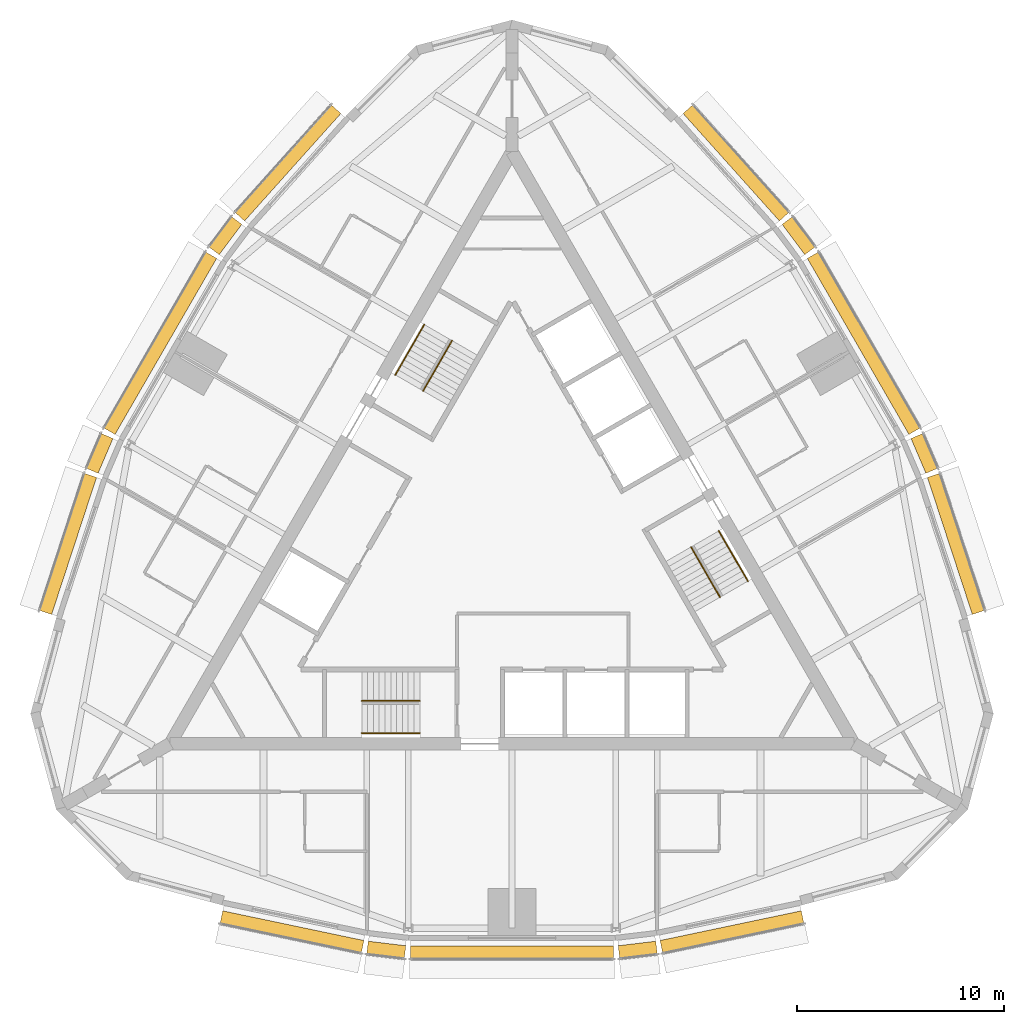
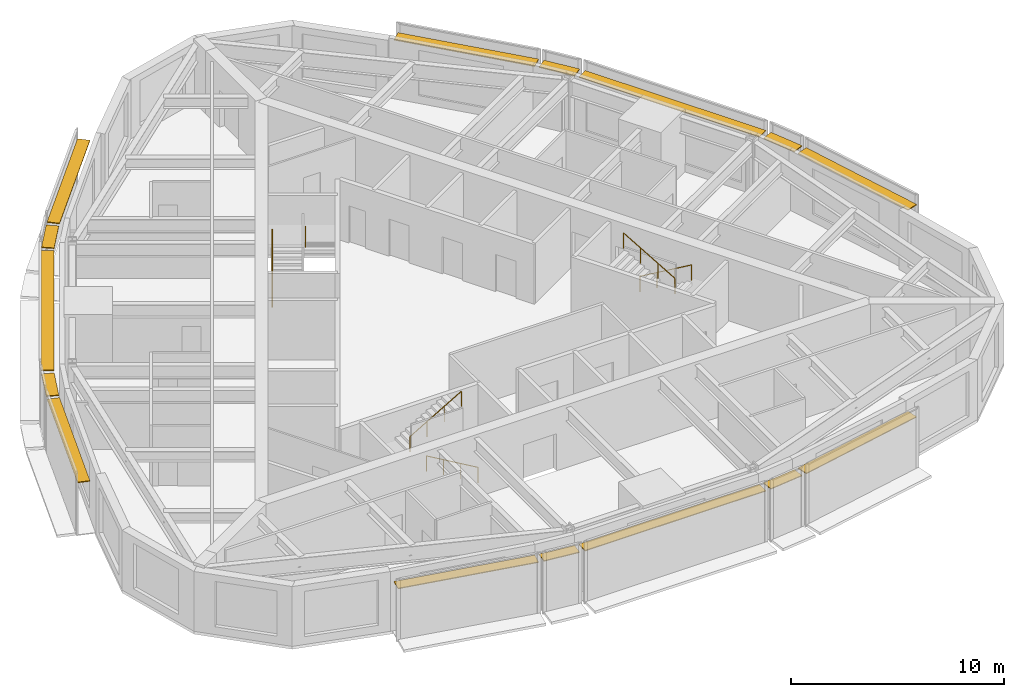
# One storey, part 12 of 12: 15 shading devices, 6 railings.
"""IFC4 building model written with IfcOpenShell, lengths in metres."""

from ifc_helpers import new_model, si_unit, direction, frame, origin, origin_2d, place, context, subcontext, project, spatial, rectangle, circle, extrude, material, type_object, element, save


model = new_model("IFC4")

# Units and contexts
model_context = context("Model", 3, precision=1e-05, world=origin(), true_north=direction((0.0, 1.0)))
body_context = subcontext(model_context, "Body", "Model", "MODEL_VIEW")
ifc_project = project(units=[si_unit("LENGTHUNIT", "METRE"), si_unit("AREAUNIT", "SQUARE_METRE"), si_unit("VOLUMEUNIT", "CUBIC_METRE"), si_unit("PLANEANGLEUNIT", "RADIAN"), si_unit("MASSUNIT", "GRAM", prefix="KILO")], contexts=[model_context])

# Site, building, storey
site_placement = place(None, origin())
site = spatial("IfcSite", under=ifc_project, at=site_placement, CompositionType="ELEMENT")
building_placement = place(site_placement, origin())
building = spatial("IfcBuilding", under=site, at=building_placement, Name="Trikona Tower", CompositionType="ELEMENT")
storey_placement = place(building_placement, frame((0.0, 0.0, 257.300048828125)))
storey = spatial("IfcBuildingStorey", under=building, at=storey_placement, Name="L68", CompositionType="ELEMENT", Elevation=257.300048828125)

# Shading devices
ifc_material_1 = material(Name="Aluminium louvre blade, pale anodised", Category="aluminium")
shading_device_type = type_object("IfcShadingDeviceType", Name="Cavity louvre 600", PredefinedType="USERDEFINED", material=ifc_material_1)
shading_device_1_placement = place(storey_placement, frame((-10.6162109375, -18.6083984375, 2.97509765625), z_axis=(0.0, 0.0, 1.0), x_axis=(0.97865342171, -0.205517590916, 0.0)))
element("IfcShadingDevice", 1, at=shading_device_1_placement, inside=storey, type_object=shading_device_type, Name="Cavity louvre L68-00", ObjectType="LOUVRE", PredefinedType="USERDEFINED", context=body_context, shape_type="SweptSolid", body=[
    extrude(rectangle(XDim=6.962646484375, YDim=0.60009765625, at=origin_2d()), origin(), (0.0, 0.0, 1.0), 0.050048828125),
])
shading_device_2_placement = place(storey_placement, frame((-6.0673828125, -19.471435546875, 2.97509765625), z_axis=(0.0, 0.0, 1.0), x_axis=(0.992876783199, -0.11914568135, 0.0)))
element("IfcShadingDevice", 2, at=shading_device_2_placement, inside=storey, type_object=shading_device_type, Name="Cavity louvre L68-01", ObjectType="LOUVRE", PredefinedType="USERDEFINED", context=body_context, shape_type="SweptSolid", body=[
    extrude(rectangle(XDim=1.82421875, YDim=0.60009765625, at=origin_2d()), origin(), (0.0, 0.0, 1.0), 0.050048828125),
])
shading_device_3_placement = place(storey_placement, frame((0.0, -19.595458984375, 2.97509765625), z_axis=(0.0, 0.0, 1.0), x_axis=(1.0, 0.0, 0.0)))
element("IfcShadingDevice", 3, at=shading_device_3_placement, inside=storey, type_object=shading_device_type, Name="Cavity louvre L68-02", ObjectType="LOUVRE", PredefinedType="USERDEFINED", context=body_context, shape_type="SweptSolid", body=[
    extrude(rectangle(XDim=9.81005859375, YDim=0.60009765625, at=origin_2d()), origin(), (0.0, 0.0, 1.0), 0.050048828125),
])
shading_device_4_placement = place(storey_placement, frame((6.0673828125, -19.471435546875, 2.97509765625), z_axis=(0.0, 0.0, 1.0), x_axis=(0.992876783199, 0.11914568135, 0.0)))
element("IfcShadingDevice", 4, at=shading_device_4_placement, inside=storey, type_object=shading_device_type, Name="Cavity louvre L68-03", ObjectType="LOUVRE", PredefinedType="USERDEFINED", context=body_context, shape_type="SweptSolid", body=[
    extrude(rectangle(XDim=1.82421875, YDim=0.60009765625, at=origin_2d()), origin(), (0.0, 0.0, 1.0), 0.050048828125),
])
for number, where, z_axis, x_axis, name in (
    (5, (10.6162109375, -18.6083984375, 2.97509765625), (0.0, 0.0, 1.0), (0.97865342171, 0.205517590916, 0.0), "Cavity louvre L68-04"),
    (6, (21.423583984375, 0.1103515625, 2.97509765625), (0.0, 0.0, 1.0), (-0.311336621861, 0.950299693722, 0.0), "Cavity louvre L68-09"),
):
    element("IfcShadingDevice", number, at=place(storey_placement, frame(where, z_axis=z_axis, x_axis=x_axis)), inside=storey, type_object=shading_device_type, Name=name, ObjectType="LOUVRE", PredefinedType="USERDEFINED", context=body_context, shape_type="SweptSolid", body=[
        extrude(rectangle(XDim=6.962646484375, YDim=0.60009765625, at=origin_2d()), origin(), (0.0, 0.0, 1.0), 0.050048828125),
    ])
shading_device_5_placement = place(storey_placement, frame((19.896484375, 4.481201171875, 2.97509765625), z_axis=(0.0, 0.0, 1.0), x_axis=(-0.39328408933, 0.919417002823, 0.0)))
element("IfcShadingDevice", 7, at=shading_device_5_placement, inside=storey, type_object=shading_device_type, Name="Cavity louvre L68-10", ObjectType="LOUVRE", PredefinedType="USERDEFINED", context=body_context, shape_type="SweptSolid", body=[
    extrude(rectangle(XDim=1.82421875, YDim=0.60009765625, at=origin_2d()), origin(), (0.0, 0.0, 1.0), 0.050048828125),
])
shading_device_6_placement = place(storey_placement, frame((16.97021484375, 9.797607421875, 2.97509765625), z_axis=(0.0, 0.0, 1.0), x_axis=(-0.4999984885, 0.866026276448, 0.0)))
element("IfcShadingDevice", 8, at=shading_device_6_placement, inside=storey, type_object=shading_device_type, Name="Cavity louvre L68-11", ObjectType="LOUVRE", PredefinedType="USERDEFINED", context=body_context, shape_type="SweptSolid", body=[
    extrude(rectangle(XDim=9.81005859375, YDim=0.60009765625, at=origin_2d()), origin(), (0.0, 0.0, 1.0), 0.050048828125),
])
shading_device_7_placement = place(storey_placement, frame((13.8291015625, 14.990234375, 2.97509765625), z_axis=(0.0, 0.0, 1.0), x_axis=(-0.599618784879, 0.800285769472, 0.0)))
element("IfcShadingDevice", 9, at=shading_device_7_placement, inside=storey, type_object=shading_device_type, Name="Cavity louvre L68-12", ObjectType="LOUVRE", PredefinedType="USERDEFINED", context=body_context, shape_type="SweptSolid", body=[
    extrude(rectangle(XDim=1.82421875, YDim=0.60009765625, at=origin_2d()), origin(), (0.0, 0.0, 1.0), 0.050048828125),
])
for number, where, z_axis, x_axis, name in (
    (10, (10.807373046875, 18.498046875, 2.97509765625), (0.0, 0.0, 1.0), (-0.667311465398, 0.744778764566, 0.0), "Cavity louvre L68-13"),
    (11, (-10.807373046875, 18.498046875, 2.97509765625), (0.0, 0.0, 1.0), (-0.667311465398, -0.744778764566, 0.0), "Cavity louvre L68-18"),
):
    element("IfcShadingDevice", number, at=place(storey_placement, frame(where, z_axis=z_axis, x_axis=x_axis)), inside=storey, type_object=shading_device_type, Name=name, ObjectType="LOUVRE", PredefinedType="USERDEFINED", context=body_context, shape_type="SweptSolid", body=[
        extrude(rectangle(XDim=6.962646484375, YDim=0.60009765625, at=origin_2d()), origin(), (0.0, 0.0, 1.0), 0.050048828125),
    ])
shading_device_8_placement = place(storey_placement, frame((-13.8291015625, 14.990234375, 2.97509765625), z_axis=(0.0, 0.0, 1.0), x_axis=(-0.599618784879, -0.800285769472, 0.0)))
element("IfcShadingDevice", 12, at=shading_device_8_placement, inside=storey, type_object=shading_device_type, Name="Cavity louvre L68-19", ObjectType="LOUVRE", PredefinedType="USERDEFINED", context=body_context, shape_type="SweptSolid", body=[
    extrude(rectangle(XDim=1.82421875, YDim=0.60009765625, at=origin_2d()), origin(), (0.0, 0.0, 1.0), 0.050048828125),
])
shading_device_9_placement = place(storey_placement, frame((-16.97021484375, 9.797607421875, 2.97509765625), z_axis=(0.0, 0.0, 1.0), x_axis=(-0.4999984885, -0.866026276448, 0.0)))
element("IfcShadingDevice", 13, at=shading_device_9_placement, inside=storey, type_object=shading_device_type, Name="Cavity louvre L68-20", ObjectType="LOUVRE", PredefinedType="USERDEFINED", context=body_context, shape_type="SweptSolid", body=[
    extrude(rectangle(XDim=9.81005859375, YDim=0.60009765625, at=origin_2d()), origin(), (0.0, 0.0, 1.0), 0.050048828125),
])
shading_device_10_placement = place(storey_placement, frame((-19.896484375, 4.481201171875, 2.97509765625), z_axis=(0.0, 0.0, 1.0), x_axis=(-0.39328408933, -0.919417002823, 0.0)))
element("IfcShadingDevice", 14, at=shading_device_10_placement, inside=storey, type_object=shading_device_type, Name="Cavity louvre L68-21", ObjectType="LOUVRE", PredefinedType="USERDEFINED", context=body_context, shape_type="SweptSolid", body=[
    extrude(rectangle(XDim=1.82421875, YDim=0.60009765625, at=origin_2d()), origin(), (0.0, 0.0, 1.0), 0.050048828125),
])
shading_device_11_placement = place(storey_placement, frame((-21.423583984375, 0.1103515625, 2.97509765625), z_axis=(0.0, 0.0, 1.0), x_axis=(-0.311336621861, -0.950299693722, 0.0)))
element("IfcShadingDevice", 15, at=shading_device_11_placement, inside=storey, type_object=shading_device_type, Name="Cavity louvre L68-22", ObjectType="LOUVRE", PredefinedType="USERDEFINED", context=body_context, shape_type="SweptSolid", body=[
    extrude(rectangle(XDim=6.962646484375, YDim=0.60009765625, at=origin_2d()), origin(), (0.0, 0.0, 1.0), 0.050048828125),
])

# Railings
ifc_material_2 = material(Name="Stainless steel handrail", Category="steel")
railing_type = type_object("IfcRailingType", Name="Stair handrail", PredefinedType="HANDRAIL", material=ifc_material_2)
railing_1_placement = place(storey_placement, frame((-4.449951171875, -9.016357421875, 0.16357421875)))
element("IfcRailing", 16, at=railing_1_placement, inside=storey, type_object=railing_type, Name="Stair handrail A L68 1", PredefinedType="HANDRAIL", context=body_context, shape_type="SweptSolid", body=[
    extrude(circle(Radius=0.02392578125, at=origin_2d()), frame((0.0, 0.0, 0.8759765625), z_axis=(-0.863360870873, 0.0, 0.504586966384), x_axis=(0.0, -1.0, 0.0)), (0.0, 0.0, 1.0), 3.2431640625),
    extrude(circle(Radius=0.02099609375, at=origin_2d()), origin(), (0.0, 0.0, 1.0), 0.851806640625),
    extrude(circle(Radius=0.02099609375, at=origin_2d()), frame((-0.933349609375, 0.0, 0.54541015625)), (0.0, 0.0, 1.0), 0.851806640625),
    extrude(circle(Radius=0.02099609375, at=origin_2d()), frame((-1.86669921875, 0.0, 1.091064453125)), (0.0, 0.0, 1.0), 0.851806640625),
    extrude(circle(Radius=0.02099609375, at=origin_2d()), frame((-2.800048828125, 0.0, 1.636474609375)), (0.0, 0.0, 1.0), 0.851806640625),
])
railing_2_placement = place(storey_placement, frame((-7.25, -7.46630859375, 1.963623046875)))
element("IfcRailing", 17, at=railing_2_placement, inside=storey, type_object=railing_type, Name="Stair handrail A L68 2", PredefinedType="HANDRAIL", context=body_context, shape_type="SweptSolid", body=[
    extrude(circle(Radius=0.02392578125, at=origin_2d()), frame((0.0, 0.0, 0.8759765625), z_axis=(0.863393664356, 0.0, 0.504530851732), x_axis=(0.0, 1.0, 0.0)), (0.0, 0.0, 1.0), 3.2431640625),
    extrude(circle(Radius=0.02099609375, at=origin_2d()), origin(), (0.0, 0.0, 1.0), 0.851806640625),
    extrude(circle(Radius=0.02099609375, at=origin_2d()), frame((0.933349609375, 0.0, 0.54541015625)), (0.0, 0.0, 1.0), 0.851806640625),
    extrude(circle(Radius=0.02099609375, at=origin_2d()), frame((1.86669921875, 0.0, 1.0908203125)), (0.0, 0.0, 1.0), 0.851806640625),
    extrude(circle(Radius=0.02099609375, at=origin_2d()), frame((2.800048828125, 0.0, 1.63623046875)), (0.0, 0.0, 1.0), 0.851806640625),
])
railing_3_placement = place(storey_placement, frame((9.9833984375, 0.740966796875, 0.16357421875)))
element("IfcRailing", 18, at=railing_3_placement, inside=storey, type_object=railing_type, Name="Stair handrail B L68 1", PredefinedType="HANDRAIL", context=body_context, shape_type="SweptSolid", body=[
    extrude(circle(Radius=0.02392578125, at=origin_2d()), frame((0.0, 0.0, 0.8759765625), z_axis=(0.431636334334, -0.747723004699, 0.504579412111), x_axis=(0.866056369097, 0.49994636267, 0.0)), (0.0, 0.0, 1.0), 3.2431640625),
    extrude(circle(Radius=0.02099609375, at=origin_2d()), origin(), (0.0, 0.0, 1.0), 0.851806640625),
    extrude(circle(Radius=0.02099609375, at=origin_2d()), frame((0.466552734375, -0.808349609375, 0.54541015625)), (0.0, 0.0, 1.0), 0.851806640625),
    extrude(circle(Radius=0.02099609375, at=origin_2d()), frame((0.933349609375, -1.61669921875, 1.091064453125)), (0.0, 0.0, 1.0), 0.851806640625),
    extrude(circle(Radius=0.02099609375, at=origin_2d()), frame((1.39990234375, -2.425048828125, 1.636474609375)), (0.0, 0.0, 1.0), 0.851806640625),
])
railing_4_placement = place(storey_placement, frame((10.041015625, -2.458984375, 1.963623046875)))
element("IfcRailing", 19, at=railing_4_placement, inside=storey, type_object=railing_type, Name="Stair handrail B L68 2", PredefinedType="HANDRAIL", context=body_context, shape_type="SweptSolid", body=[
    extrude(circle(Radius=0.02392578125, at=origin_2d()), frame((0.0, 0.0, 0.8759765625), z_axis=(-0.43165272891, 0.747751404999, 0.504523297725), x_axis=(-0.866056369097, -0.49994636267, 0.0)), (0.0, 0.0, 1.0), 3.2431640625),
    extrude(circle(Radius=0.02099609375, at=origin_2d()), origin(), (0.0, 0.0, 1.0), 0.851806640625),
    extrude(circle(Radius=0.02099609375, at=origin_2d()), frame((-0.466552734375, 0.808349609375, 0.54541015625)), (0.0, 0.0, 1.0), 0.851806640625),
    extrude(circle(Radius=0.02099609375, at=origin_2d()), frame((-0.933349609375, 1.61669921875, 1.0908203125)), (0.0, 0.0, 1.0), 0.851806640625),
    extrude(circle(Radius=0.02099609375, at=origin_2d()), frame((-1.39990234375, 2.425048828125, 1.63623046875)), (0.0, 0.0, 1.0), 0.851806640625),
])
railing_5_placement = place(storey_placement, frame((-5.63330078125, 8.275390625, 0.16357421875)))
element("IfcRailing", 20, at=railing_5_placement, inside=storey, type_object=railing_type, Name="Stair handrail C L68 1", PredefinedType="HANDRAIL", context=body_context, shape_type="SweptSolid", body=[
    extrude(circle(Radius=0.02392578125, at=origin_2d()), frame((0.0, 0.0, 0.8759765625), z_axis=(0.431660630283, 0.747689811644, 0.504607813879), x_axis=(-0.866034573852, 0.49998411664, 0.0)), (0.0, 0.0, 1.0), 3.2431640625),
    extrude(circle(Radius=0.02099609375, at=origin_2d()), origin(), (0.0, 0.0, 1.0), 0.851806640625),
    extrude(circle(Radius=0.02099609375, at=origin_2d()), frame((0.466552734375, 0.808349609375, 0.54541015625)), (0.0, 0.0, 1.0), 0.851806640625),
    extrude(circle(Radius=0.02099609375, at=origin_2d()), frame((0.933349609375, 1.616455078125, 1.091064453125)), (0.0, 0.0, 1.0), 0.851806640625),
    extrude(circle(Radius=0.02099609375, at=origin_2d()), frame((1.39990234375, 2.4248046875, 1.636474609375)), (0.0, 0.0, 1.0), 0.851806640625),
])
railing_6_placement = place(storey_placement, frame((-2.89111328125, 9.92529296875, 1.963623046875)))
element("IfcRailing", 21, at=railing_6_placement, inside=storey, type_object=railing_type, Name="Stair handrail C L68 2", PredefinedType="HANDRAIL", context=body_context, shape_type="SweptSolid", body=[
    extrude(circle(Radius=0.02392578125, at=origin_2d()), frame((0.0, 0.0, 0.8759765625), z_axis=(-0.43165272891, -0.747751404999, 0.504523297725), x_axis=(0.866056369097, -0.49994636267, 0.0)), (0.0, 0.0, 1.0), 3.2431640625),
    extrude(circle(Radius=0.02099609375, at=origin_2d()), origin(), (0.0, 0.0, 1.0), 0.851806640625),
    extrude(circle(Radius=0.02099609375, at=origin_2d()), frame((-0.466552734375, -0.808349609375, 0.54541015625)), (0.0, 0.0, 1.0), 0.851806640625),
    extrude(circle(Radius=0.02099609375, at=origin_2d()), frame((-0.933349609375, -1.61669921875, 1.0908203125)), (0.0, 0.0, 1.0), 0.851806640625),
    extrude(circle(Radius=0.02099609375, at=origin_2d()), frame((-1.39990234375, -2.425048828125, 1.63623046875)), (0.0, 0.0, 1.0), 0.851806640625),
])

save(model, "model.ifc")
